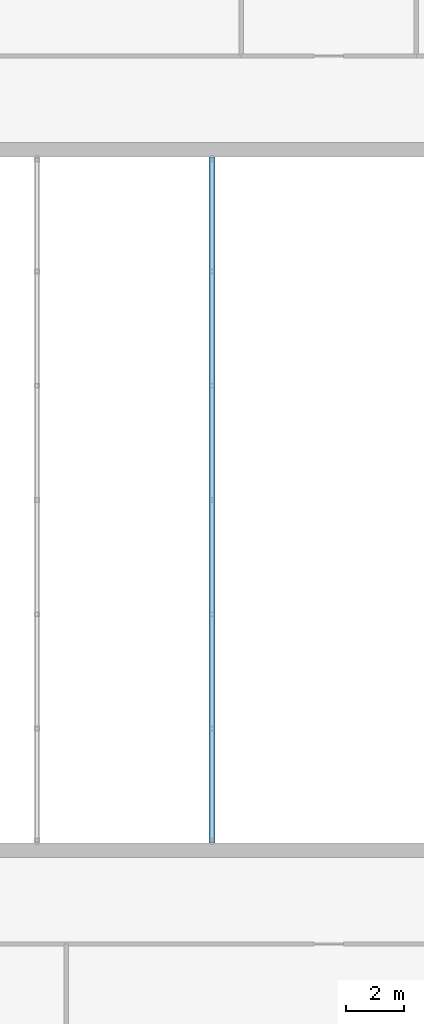
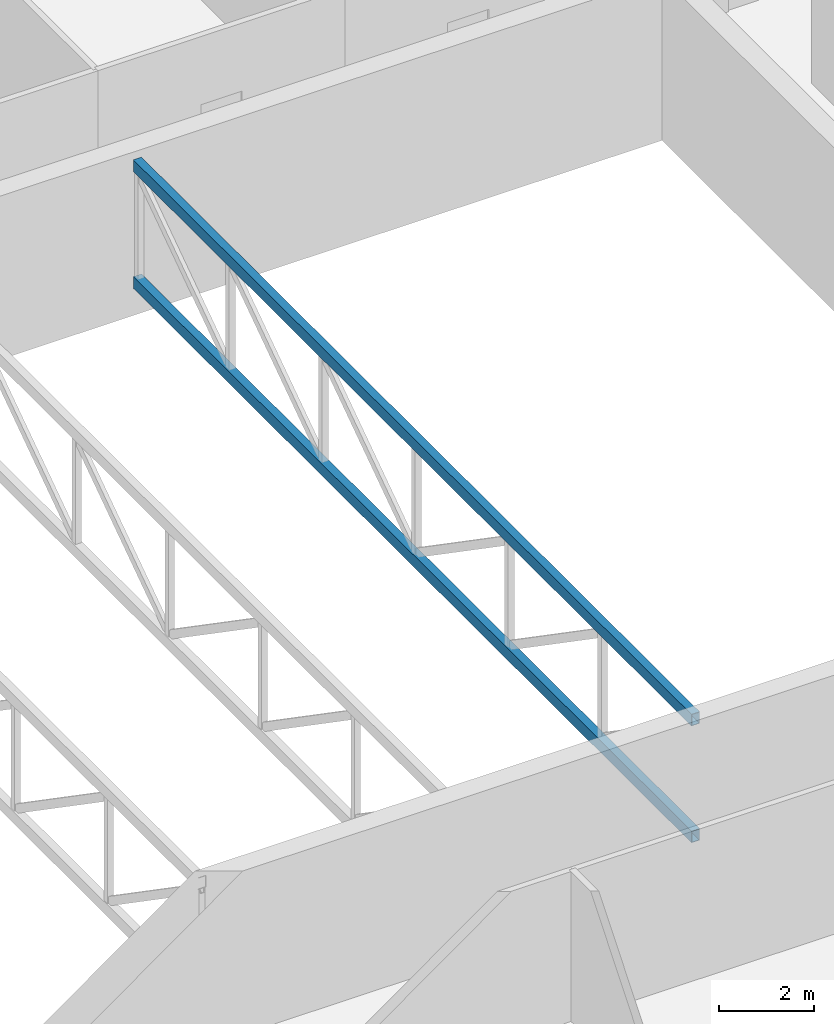
# One storey, part 15 of 47: 2 members.
"""IFC4 building model written with IfcOpenShell, lengths in metres."""

import ifcopenshell
import ifcopenshell.guid

model = None  # the IFC model being written
_history = None  # IfcOwnerHistory: only IFC2X3 demands one
_inside = {}  # id of a spatial element -> (the spatial element, [elements in it])
_under = {}  # id of a project, library or spatial element -> (it, [spatial elements below it])
_declared = {}  # id of a project -> (the project, [libraries it declares])
_typed = {}  # id of a type object -> (the type object, [elements of that type])
_made_of = {}  # id of a material, layer set ... -> (it, [elements and type objects made of it])


def new_model(schema):
    """Start an empty IFC model of exactly this schema.

    Asked for "IFC4X3", IfcOpenShell would pick the latest addendum, in which some entities
    have other attributes; the version numbers below select the first issue.
    IFC2X3 requires an IfcOwnerHistory on every rooted entity: one is made here for all.
    """
    global model, _history
    if schema == "IFC4X3":
        model = ifcopenshell.file(schema_version=(4, 3, 0, 0))
    else:
        model = ifcopenshell.file(schema=schema)
    _inside.clear()
    _under.clear()
    _declared.clear()
    _typed.clear()
    _made_of.clear()
    _history = None
    if model.schema == "IFC2X3":
        org = make("IfcOrganization", Name="unknown")
        user = make(
            "IfcPersonAndOrganization",
            ThePerson=make("IfcPerson", FamilyName="unknown"),
            TheOrganization=org,
        )
        app = make(
            "IfcApplication",
            ApplicationDeveloper=org,
            Version="unknown",
            ApplicationFullName="unknown",
            ApplicationIdentifier="unknown",
        )
        _history = make(
            "IfcOwnerHistory",
            OwningUser=user,
            OwningApplication=app,
            ChangeAction="ADDED",
            CreationDate=0,
        )
    return model


def make(cls, **values):
    """One entity of the class cls with the attributes given. An attribute that is None is left unset."""
    return model.create_entity(
        cls, **{name: value for name, value in values.items() if value is not None}
    )


def rooted(cls, **values):
    """An entity with a GlobalId (a new one), such as an element, a storey or a relation."""
    return make(cls, GlobalId=ifcopenshell.guid.new(), OwnerHistory=_history, **values)


def si_unit(unit_type, name, prefix=None):
    """IfcSIUnit, for example si_unit("LENGTHUNIT", "METRE", prefix="MILLI")."""
    return make("IfcSIUnit", UnitType=unit_type, Prefix=prefix, Name=name)


def assignment(units):
    """IfcUnitAssignment: the units of a project."""
    return None if units is None else make("IfcUnitAssignment", Units=units)


def point(xyz):
    """IfcCartesianPoint."""
    return None if xyz is None else make("IfcCartesianPoint", Coordinates=xyz)


def direction(xyz):
    """IfcDirection."""
    return None if xyz is None else make("IfcDirection", DirectionRatios=xyz)


def frame(location, z_axis=None, x_axis=None):
    """IfcAxis2Placement3D, a coordinate frame: its origin and axes. An axis left out is left unset."""
    return make(
        "IfcAxis2Placement3D",
        Location=point(location),
        Axis=direction(z_axis),
        RefDirection=direction(x_axis),
    )


def frame_2d(location, x_axis=None):
    """IfcAxis2Placement2D, a coordinate frame in the plane: its origin and x axis."""
    return make(
        "IfcAxis2Placement2D", Location=point(location), RefDirection=direction(x_axis)
    )


def origin():
    """The frame at (0, 0, 0) with its axes left unset."""
    return frame((0.0, 0.0, 0.0))


def origin_2d():
    """The frame at (0, 0) in the plane with its x axis left unset."""
    return frame_2d((0.0, 0.0))


def place(relative_to, where):
    """IfcLocalPlacement: puts the frame where relative to a parent placement (None: the world)."""
    return make(
        "IfcLocalPlacement", PlacementRelTo=relative_to, RelativePlacement=where
    )


def context(
    kind, dimensions, precision=None, world=None, true_north=None, identifier=None
):
    """IfcGeometricRepresentationContext, for example the 3D "Model" context."""
    return make(
        "IfcGeometricRepresentationContext",
        ContextIdentifier=identifier,
        ContextType=kind,
        CoordinateSpaceDimension=dimensions,
        Precision=precision,
        WorldCoordinateSystem=world,
        TrueNorth=true_north,
    )


def subcontext(parent, identifier, kind, view, scale=None):
    """IfcGeometricRepresentationSubContext, for example "Body" below "Model"."""
    return make(
        "IfcGeometricRepresentationSubContext",
        ContextIdentifier=identifier,
        ContextType=kind,
        ParentContext=parent,
        TargetScale=scale,
        TargetView=view,
    )


def project(units=None, contexts=None):
    """IfcProject with its units and contexts."""
    return rooted(
        "IfcProject",
        Name="project",
        RepresentationContexts=contexts,
        UnitsInContext=assignment(units),
    )


def spatial(cls, under=None, at=None, **own):
    """A site, building, storey or space (cls), placed at a placement, below another one or the project."""
    s = rooted(cls, ObjectPlacement=at, **own)
    if under is not None:
        _under.setdefault(under.id(), (under, []))[1].append(s)
    return s


def profile(cls, at=None, kind="AREA", **sizes):
    """A parametric profile (cls). Its sizes go by their IFC names, for example OverallWidth=200.0."""
    return make(cls, ProfileType=kind, Position=at, **sizes)


def hollow_rectangle(**sizes):
    """IfcRectangleHollowProfileDef."""
    return profile("IfcRectangleHollowProfileDef", **sizes)


def extrude(swept, where, along, depth):
    """IfcExtrudedAreaSolid: the profile swept, set in the frame where, extruded along a direction by depth."""
    return make(
        "IfcExtrudedAreaSolid",
        SweptArea=swept,
        Position=where,
        ExtrudedDirection=direction(along),
        Depth=depth,
    )


def shape(context_of_items, identifier, shape_type, items):
    """IfcShapeRepresentation: the items that make up one representation, for example the "Body"."""
    return make(
        "IfcShapeRepresentation",
        ContextOfItems=context_of_items,
        RepresentationIdentifier=identifier,
        RepresentationType=shape_type,
        Items=items,
    )


def material(Name=None, Category=None):
    """IfcMaterial."""
    return make("IfcMaterial", Name=Name, Category=Category)


def material_profile(
    of_material, cross_section, Name=None, Category=None, Priority=None
):
    """IfcMaterialProfile: a cross section and its material."""
    return make(
        "IfcMaterialProfile",
        Name=Name,
        Material=of_material,
        Profile=cross_section,
        Priority=Priority,
        Category=Category,
    )


def profile_set(profiles, Name=None, composite=None):
    """IfcMaterialProfileSet."""
    return make(
        "IfcMaterialProfileSet",
        Name=Name,
        MaterialProfiles=profiles,
        CompositeProfile=composite,
    )


def made_of(thing, what):
    """Note that an element or type object is made of a material, layer set ...; save() writes the relation."""
    if what is not None:
        _made_of.setdefault(what.id(), (what, []))[1].append(thing)
    return thing


def type_object(cls, material=None, **own):
    """A type object (cls), such as IfcWallType, which elements share."""
    return made_of(rooted(cls, **own), material)


def element(
    cls,
    number,
    at=None,
    inside=None,
    cuts=None,
    type_object=None,
    material=None,
    context=None,
    identifier="Body",
    shape_type=None,
    held_by="IfcProductDefinitionShape",
    body=None,
    shapes=None,
    **own,
):
    """One element of the class cls, such as IfcWall. Its Tag is "e" and its number.

    at: its placement. inside: the storey or other place that contains it. cuts: it is an
    opening in that element (IfcRelVoidsElement). A single representation is given by context,
    identifier, shape_type and body (its items); several are given by shapes. held_by: the class
    of the entity that holds the representations. save() writes the other relations.
    """
    e = rooted(cls, Tag="e%d" % number, ObjectPlacement=at, **own)
    if body is not None:
        shapes = [shape(context, identifier, shape_type, body)]
    if shapes is not None:
        e.Representation = make(held_by, Representations=shapes)
    if inside is not None:
        _inside.setdefault(inside.id(), (inside, []))[1].append(e)
    if cuts is not None:
        rooted(
            "IfcRelVoidsElement", RelatingBuildingElement=cuts, RelatedOpeningElement=e
        )
    if type_object is not None:
        _typed.setdefault(type_object.id(), (type_object, []))[1].append(e)
    return made_of(e, material)


def aggregate(whole, parts):
    """IfcRelAggregates: a whole, such as a stair, and the parts it consists of."""
    return rooted("IfcRelAggregates", RelatingObject=whole, RelatedObjects=parts)


def save(model, path):
    """Write the relations noted so far, then the file.

    IfcRelAggregates (storeys below a building ...), IfcRelContainedInSpatialStructure (elements
    in a storey), IfcRelDefinesByType, IfcRelAssociatesMaterial and IfcRelDeclares: one each for
    every whole, place, type object, material and project.
    """
    for whole, parts in _under.values():
        aggregate(whole, parts)
    for where, things in _inside.values():
        rooted(
            "IfcRelContainedInSpatialStructure",
            RelatedElements=things,
            RelatingStructure=where,
        )
    for kind, things in _typed.values():
        rooted("IfcRelDefinesByType", RelatedObjects=things, RelatingType=kind)
    for what, things in _made_of.values():
        rooted("IfcRelAssociatesMaterial", RelatedObjects=things, RelatingMaterial=what)
    for by, libraries in _declared.values():
        rooted("IfcRelDeclares", RelatingContext=by, RelatedDefinitions=libraries)
    model.write(path)


model = new_model("IFC4")

# Units and contexts
model_context = context("Model", 3, precision=1e-05, world=origin(), true_north=direction((0.0, 1.0)))
body_context = subcontext(model_context, "Body", "Model", "MODEL_VIEW")
ifc_project = project(units=[si_unit("LENGTHUNIT", "METRE"), si_unit("AREAUNIT", "SQUARE_METRE"), si_unit("VOLUMEUNIT", "CUBIC_METRE"), si_unit("PLANEANGLEUNIT", "RADIAN"), si_unit("MASSUNIT", "GRAM", prefix="KILO")], contexts=[model_context])

# Site, building, storey
site_placement = place(None, origin())
site = spatial("IfcSite", under=ifc_project, at=site_placement, CompositionType="ELEMENT")
building_placement = place(site_placement, origin())
building = spatial("IfcBuilding", under=site, at=building_placement, Name="Nakaniwa Court", CompositionType="ELEMENT")
storey_placement = place(building_placement, frame((0.0, 0.0, 15.60009765625)))
storey = spatial("IfcBuildingStorey", under=building, at=storey_placement, Name="L03", CompositionType="ELEMENT", Elevation=15.60009765625)

# Members
ifc_material = material(Name="Steel AS/NZS 1163 Grade C350L0", Category="steel")
ifc_material_profile = material_profile(ifc_material, hollow_rectangle(XDim=0.199951171875, YDim=0.300048828125, WallThickness=0.010009765625, at=origin_2d()), Name="RHS 300x200x10")
ifc_profile_set = profile_set([ifc_material_profile], Name="Steel AS/NZS 1163 Grade C350L0")
member_type = type_object("IfcMemberType", Name="Roof truss chord RHS 300x200x10", PredefinedType="CHORD", material=ifc_profile_set)
for number, where, z_axis, x_axis, name in (
    (1, (193.0, 68.25, 3.849853515625), (0.0, 1.0, 0.0), (-1.0, 0.0, 0.0), "Roof truss A4 top chord"),
    (2, (193.0, 68.25, 0.849853515625), (0.0, 1.0, 0.0), (-1.0, 0.0, 0.0), "Roof truss A4 bottom chord"),
):
    element("IfcMember", number, at=place(storey_placement, frame(where, z_axis=z_axis, x_axis=x_axis)), inside=storey, type_object=member_type, Name=name, PredefinedType="CHORD", context=body_context, shape_type="SweptSolid", body=[
        extrude(hollow_rectangle(XDim=0.199951171875, YDim=0.300048828125, WallThickness=0.010009765625, at=origin_2d()), origin(), (0.0, 0.0, 1.0), 23.5),
    ])

save(model, "model.ifc")
